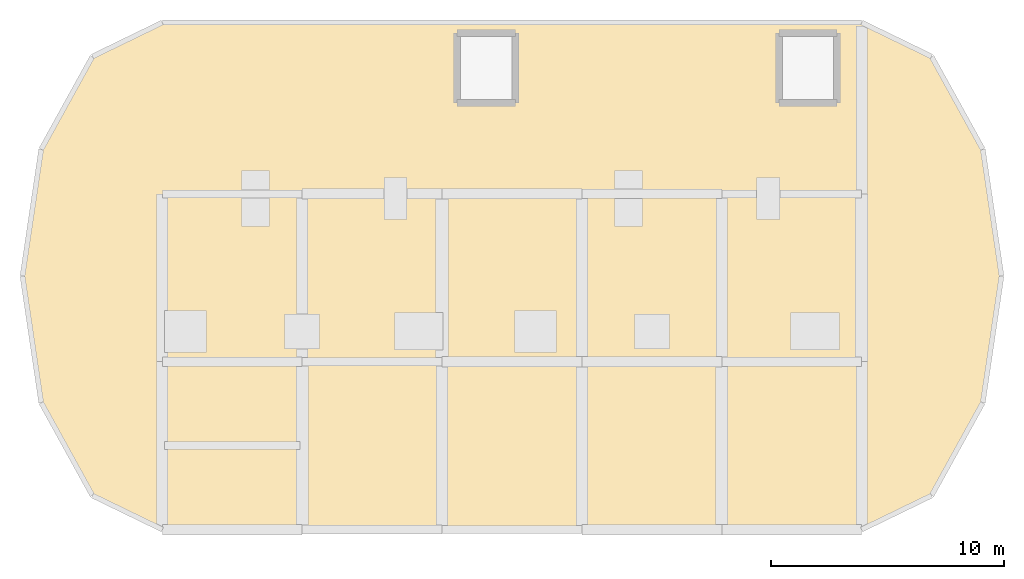
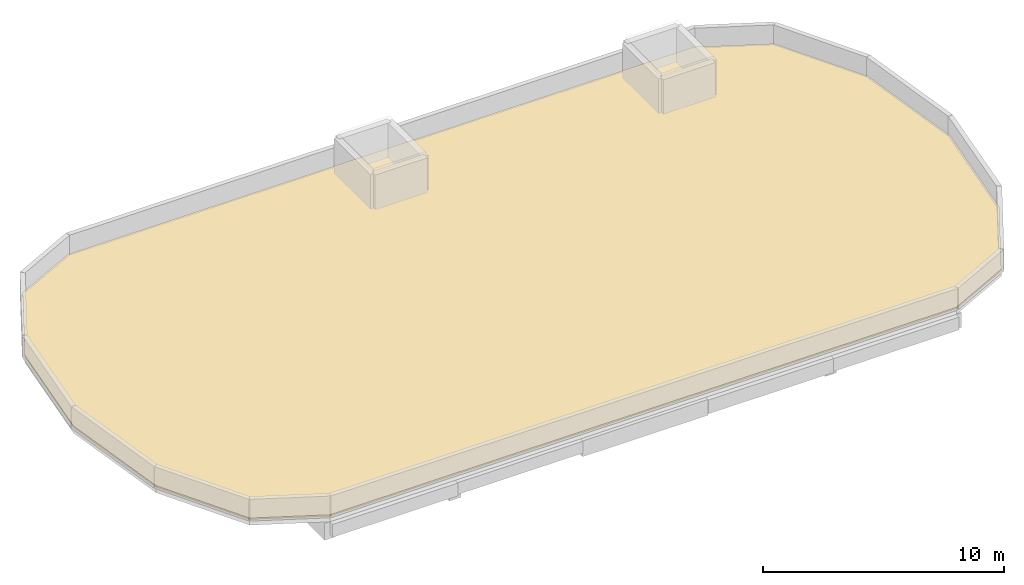
# One storey, part 2 of 2: 1 covering.
"""IFC4 building model written with IfcOpenShell, lengths in metres."""

from ifc_helpers import new_model, si_unit, direction, frame, origin, place, context, subcontext, project, spatial, polyline, outline, extrude, material, layer, layer_set, type_object, element, save


model = new_model("IFC4")

# Units and contexts
model_context = context("Model", 3, precision=1e-05, world=origin(), true_north=direction((0.0, 1.0)))
body_context = subcontext(model_context, "Body", "Model", "MODEL_VIEW")
ifc_project = project(units=[si_unit("LENGTHUNIT", "METRE"), si_unit("AREAUNIT", "SQUARE_METRE"), si_unit("VOLUMEUNIT", "CUBIC_METRE"), si_unit("PLANEANGLEUNIT", "RADIAN"), si_unit("MASSUNIT", "GRAM", prefix="KILO")], contexts=[model_context])

# Site, building, storey
site_placement = place(None, origin())
site = spatial("IfcSite", under=ifc_project, at=site_placement, CompositionType="ELEMENT")
building_placement = place(site_placement, origin())
building = spatial("IfcBuilding", under=site, at=building_placement, Name="Dunvalen Ferry Terminal", CompositionType="ELEMENT")
storey_placement = place(building_placement, frame((0.0, 0.0, 21.06005859375)))
storey = spatial("IfcBuildingStorey", under=building, at=storey_placement, Name="RF", CompositionType="ELEMENT", Elevation=21.06005859375)

# Covering
ifc_material = material(Name="Standing-seam marine aluminium roofing", Category="aluminium")
ifc_layer = layer(ifc_material, 0.080078125, Name="Standing-seam marine aluminium roofing")
ifc_layer_set = layer_set([ifc_layer], Name="Standing-seam marine aluminium roofing")
covering_type = type_object("IfcCoveringType", Name="ENV-COV-RFG01", PredefinedType="ROOFING", material=ifc_layer_set)
covering_placement = place(storey_placement, origin())
element("IfcCovering", 1, at=covering_placement, inside=storey, type_object=covering_type, Name="RF Harbourmaster Wing Standing-Seam Roof Covering", PredefinedType="ROOFING", context=body_context, shape_type="SweptSolid", body=[
    extrude(outline(polyline([(24.0, 0.0), (54.0, 0.0), (57.0, 1.45703125), (59.1962890625, 5.4375), (60.0, 10.875), (59.1962890625, 16.3125), (57.0, 20.29296875), (54.0, 21.75), (24.0, 21.75), (21.0, 20.29296875), (18.8037109375, 16.3125), (18.0, 10.875), (18.8037109375, 5.4375), (21.0, 1.45703125), (24.0, 0.0)])), origin(), (0.0, 0.0, 1.0), 0.079833984375),
])

save(model, "model.ifc")
